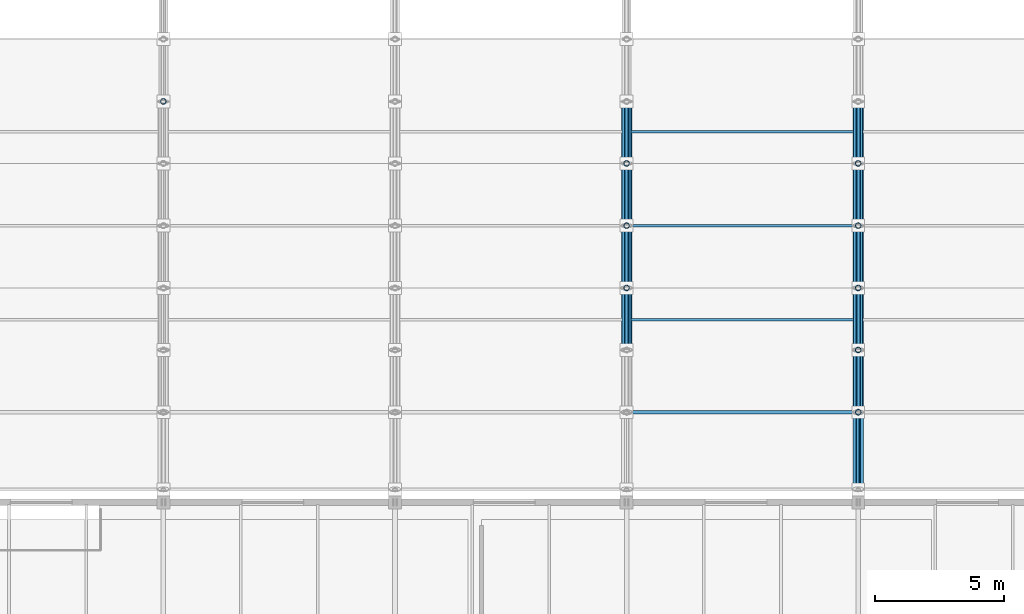
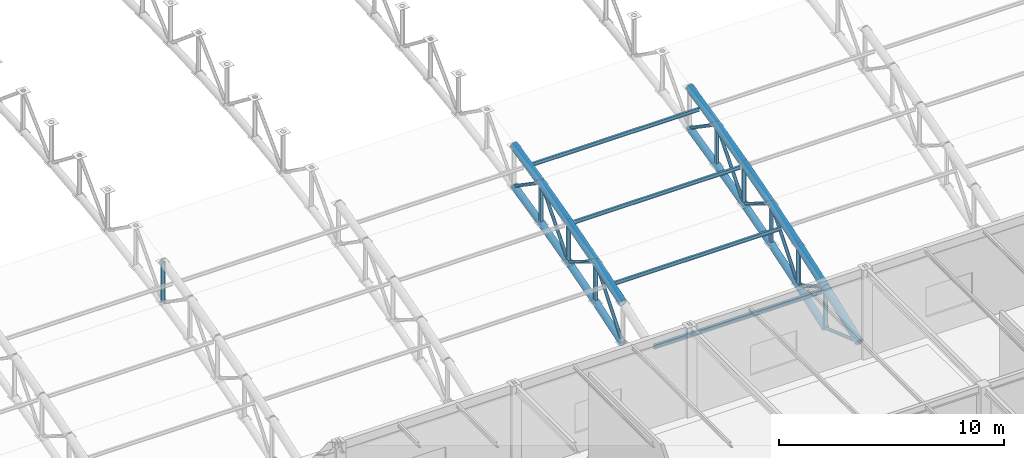
# One storey, part 71 of 195: 42 members.
"""IFC4 building model written with IfcOpenShell, lengths in metres."""

from ifc_helpers import new_model, si_unit, direction, frame, origin, origin_2d, place, context, subcontext, project, spatial, hollow_circle, i_section, extrude, material, material_profile, profile_set, type_object, element, save


model = new_model("IFC4")

# Units and contexts
model_context = context("Model", 3, precision=1e-05, world=origin(), true_north=direction((0.0, 1.0)))
body_context = subcontext(model_context, "Body", "Model", "MODEL_VIEW")
ifc_project = project(units=[si_unit("LENGTHUNIT", "METRE"), si_unit("AREAUNIT", "SQUARE_METRE"), si_unit("VOLUMEUNIT", "CUBIC_METRE"), si_unit("PLANEANGLEUNIT", "RADIAN"), si_unit("MASSUNIT", "GRAM", prefix="KILO")], contexts=[model_context])

# Site, building, storey
site_placement = place(None, origin())
site = spatial("IfcSite", under=ifc_project, at=site_placement, CompositionType="ELEMENT")
building_placement = place(site_placement, origin())
building = spatial("IfcBuilding", under=site, at=building_placement, Name="Marlcrest Central Station", CompositionType="ELEMENT")
storey_placement = place(building_placement, frame((0.0, 0.0, 9.800048828125)))
storey = spatial("IfcBuildingStorey", under=building, at=storey_placement, Name="L02", CompositionType="ELEMENT", Elevation=9.800048828125)

# Members
ifc_material = material(Name="Steel S355", Category="steel")
ifc_material_profile_1 = material_profile(ifc_material, hollow_circle(Radius=0.203125, WallThickness=0.02001953125, at=origin_2d()), Name="CHS 406.4x20")
ifc_profile_set_1 = profile_set([ifc_material_profile_1], Name="Steel S355")
member_type_1 = type_object("IfcMemberType", Name="AC-01", PredefinedType="CHORD", material=ifc_profile_set_1)
member_1_placement = place(storey_placement, frame((180.0, 38.919921875, 2.449462890625), z_axis=(0.0, 0.952116828449, 0.305734435391), x_axis=(-1.0, 0.0, 0.0)))
element("IfcMember", 1, at=member_1_placement, inside=storey, type_object=member_type_1, Name="mem-AC-01-L02-01560", PredefinedType="CHORD", context=body_context, shape_type="SweptSolid", body=[
    extrude(hollow_circle(Radius=0.203125, WallThickness=0.02001953125, at=origin_2d()), origin(), (0.0, 0.0, 1.0), 2.53125),
])
member_2_placement = place(storey_placement, frame((180.0, 41.330078125, 3.223388671875), z_axis=(0.0, 0.960130083362, 0.27955361386), x_axis=(-1.0, 0.0, 0.0)))
element("IfcMember", 2, at=member_2_placement, inside=storey, type_object=member_type_1, Name="mem-AC-01-L02-01564", PredefinedType="CHORD", context=body_context, shape_type="SweptSolid", body=[
    extrude(hollow_circle(Radius=0.203125, WallThickness=0.02001953125, at=origin_2d()), origin(), (0.0, 0.0, 1.0), 2.5205078125),
])
member_3_placement = place(storey_placement, frame((180.0, 43.75, 3.927978515625), z_axis=(0.0, 0.967539481681, 0.252719906989), x_axis=(-1.0, 0.0, 0.0)))
element("IfcMember", 3, at=member_3_placement, inside=storey, type_object=member_type_1, Name="mem-AC-01-L02-01568", PredefinedType="CHORD", context=body_context, shape_type="SweptSolid", body=[
    extrude(hollow_circle(Radius=0.203125, WallThickness=0.02001953125, at=origin_2d()), origin(), (0.0, 0.0, 1.0), 2.501220703125),
])
member_4_placement = place(storey_placement, frame((180.0, 46.169921875, 4.56005859375), z_axis=(0.0, 0.974329612642, 0.225126200004), x_axis=(-1.0, 0.0, 0.0)))
element("IfcMember", 4, at=member_4_placement, inside=storey, type_object=member_type_1, Name="mem-AC-01-L02-01572", PredefinedType="CHORD", context=body_context, shape_type="SweptSolid", body=[
    extrude(hollow_circle(Radius=0.203125, WallThickness=0.02001953125, at=origin_2d()), origin(), (0.0, 0.0, 1.0), 2.4736328125),
])
member_5_placement = place(storey_placement, frame((189.0, 33.5, 0.44580078125), z_axis=(0.0, 0.933324071143, 0.359035065453), x_axis=(-1.0, 0.0, 0.0)))
element("IfcMember", 5, at=member_5_placement, inside=storey, type_object=member_type_1, Name="mem-AC-01-L02-01670", PredefinedType="CHORD", context=body_context, shape_type="SweptSolid", body=[
    extrude(hollow_circle(Radius=0.203125, WallThickness=0.02001953125, at=origin_2d()), origin(), (0.0, 0.0, 1.0), 3.21435546875),
])
member_6_placement = place(storey_placement, frame((189.0, 36.5, 1.599853515625), z_axis=(0.0, 0.94353735649, 0.331266142109), x_axis=(-1.0, 0.0, 0.0)))
element("IfcMember", 6, at=member_6_placement, inside=storey, type_object=member_type_1, Name="mem-AC-01-L02-01672", PredefinedType="CHORD", context=body_context, shape_type="SweptSolid", body=[
    extrude(hollow_circle(Radius=0.203125, WallThickness=0.02001953125, at=origin_2d()), origin(), (0.0, 0.0, 1.0), 2.564697265625),
])
member_7_placement = place(storey_placement, frame((189.0, 38.919921875, 2.449462890625), z_axis=(0.0, 0.952116828449, 0.305734435391), x_axis=(-1.0, 0.0, 0.0)))
element("IfcMember", 7, at=member_7_placement, inside=storey, type_object=member_type_1, Name="mem-AC-01-L02-01676", PredefinedType="CHORD", context=body_context, shape_type="SweptSolid", body=[
    extrude(hollow_circle(Radius=0.203125, WallThickness=0.02001953125, at=origin_2d()), origin(), (0.0, 0.0, 1.0), 2.53125),
])
member_8_placement = place(storey_placement, frame((189.0, 41.330078125, 3.223388671875), z_axis=(0.0, 0.960130083362, 0.27955361386), x_axis=(-1.0, 0.0, 0.0)))
element("IfcMember", 8, at=member_8_placement, inside=storey, type_object=member_type_1, Name="mem-AC-01-L02-01680", PredefinedType="CHORD", context=body_context, shape_type="SweptSolid", body=[
    extrude(hollow_circle(Radius=0.203125, WallThickness=0.02001953125, at=origin_2d()), origin(), (0.0, 0.0, 1.0), 2.5205078125),
])
member_9_placement = place(storey_placement, frame((189.0, 43.75, 3.927978515625), z_axis=(0.0, 0.967539481681, 0.252719906989), x_axis=(-1.0, 0.0, 0.0)))
element("IfcMember", 9, at=member_9_placement, inside=storey, type_object=member_type_1, Name="mem-AC-01-L02-01684", PredefinedType="CHORD", context=body_context, shape_type="SweptSolid", body=[
    extrude(hollow_circle(Radius=0.203125, WallThickness=0.02001953125, at=origin_2d()), origin(), (0.0, 0.0, 1.0), 2.501220703125),
])
member_10_placement = place(storey_placement, frame((189.0, 46.169921875, 4.56005859375), z_axis=(0.0, 0.974329612642, 0.225126200004), x_axis=(-1.0, 0.0, 0.0)))
element("IfcMember", 10, at=member_10_placement, inside=storey, type_object=member_type_1, Name="mem-AC-01-L02-01688", PredefinedType="CHORD", context=body_context, shape_type="SweptSolid", body=[
    extrude(hollow_circle(Radius=0.203125, WallThickness=0.02001953125, at=origin_2d()), origin(), (0.0, 0.0, 1.0), 2.4736328125),
])
ifc_material_profile_2 = material_profile(ifc_material, hollow_circle(Radius=0.177734375, WallThickness=0.01611328125, at=origin_2d()), Name="CHS 355.6x16")
ifc_profile_set_2 = profile_set([ifc_material_profile_2], Name="Steel S355")
member_type_2 = type_object("IfcMemberType", Name="AC-02", PredefinedType="CHORD", material=ifc_profile_set_2)
member_11_placement = place(storey_placement, frame((180.0, 38.919921875, 0.24951171875), z_axis=(0.0, 0.952116828449, 0.305734435391), x_axis=(-1.0, 0.0, 0.0)))
element("IfcMember", 11, at=member_11_placement, inside=storey, type_object=member_type_2, Name="mem-AC-02-L02-01561", PredefinedType="CHORD", context=body_context, shape_type="SweptSolid", body=[
    extrude(hollow_circle(Radius=0.177734375, WallThickness=0.01611328125, at=origin_2d()), origin(), (0.0, 0.0, 1.0), 2.53125),
])
member_12_placement = place(storey_placement, frame((180.0, 41.330078125, 1.0234375), z_axis=(0.0, 0.960130083362, 0.27955361386), x_axis=(-1.0, 0.0, 0.0)))
element("IfcMember", 12, at=member_12_placement, inside=storey, type_object=member_type_2, Name="mem-AC-02-L02-01565", PredefinedType="CHORD", context=body_context, shape_type="SweptSolid", body=[
    extrude(hollow_circle(Radius=0.177734375, WallThickness=0.01611328125, at=origin_2d()), origin(), (0.0, 0.0, 1.0), 2.5205078125),
])
member_13_placement = place(storey_placement, frame((180.0, 43.75, 1.72802734375), z_axis=(0.0, 0.967563345928, 0.252628524946), x_axis=(-1.0, 0.0, 0.0)))
element("IfcMember", 13, at=member_13_placement, inside=storey, type_object=member_type_2, Name="mem-AC-02-L02-01569", PredefinedType="CHORD", context=body_context, shape_type="SweptSolid", body=[
    extrude(hollow_circle(Radius=0.177734375, WallThickness=0.01611328125, at=origin_2d()), origin(), (0.0, 0.0, 1.0), 2.5009765625),
])
member_14_placement = place(storey_placement, frame((180.0, 46.169921875, 2.35986328125), z_axis=(0.0, 0.974307959875, 0.225219891049), x_axis=(-1.0, 0.0, 0.0)))
element("IfcMember", 14, at=member_14_placement, inside=storey, type_object=member_type_2, Name="mem-AC-02-L02-01573", PredefinedType="CHORD", context=body_context, shape_type="SweptSolid", body=[
    extrude(hollow_circle(Radius=0.177734375, WallThickness=0.01611328125, at=origin_2d()), origin(), (0.0, 0.0, 1.0), 2.4736328125),
])
member_15_placement = place(storey_placement, frame((189.0, 36.5, -0.60009765625), z_axis=(0.0, 0.94353735649, 0.331266142109), x_axis=(-1.0, 0.0, 0.0)))
element("IfcMember", 15, at=member_15_placement, inside=storey, type_object=member_type_2, Name="mem-AC-02-L02-01673", PredefinedType="CHORD", context=body_context, shape_type="SweptSolid", body=[
    extrude(hollow_circle(Radius=0.177734375, WallThickness=0.01611328125, at=origin_2d()), origin(), (0.0, 0.0, 1.0), 2.564697265625),
])
member_16_placement = place(storey_placement, frame((189.0, 38.919921875, 0.24951171875), z_axis=(0.0, 0.952116828449, 0.305734435391), x_axis=(-1.0, 0.0, 0.0)))
element("IfcMember", 16, at=member_16_placement, inside=storey, type_object=member_type_2, Name="mem-AC-02-L02-01677", PredefinedType="CHORD", context=body_context, shape_type="SweptSolid", body=[
    extrude(hollow_circle(Radius=0.177734375, WallThickness=0.01611328125, at=origin_2d()), origin(), (0.0, 0.0, 1.0), 2.53125),
])
member_17_placement = place(storey_placement, frame((189.0, 41.330078125, 1.0234375), z_axis=(0.0, 0.960130083362, 0.27955361386), x_axis=(-1.0, 0.0, 0.0)))
element("IfcMember", 17, at=member_17_placement, inside=storey, type_object=member_type_2, Name="mem-AC-02-L02-01681", PredefinedType="CHORD", context=body_context, shape_type="SweptSolid", body=[
    extrude(hollow_circle(Radius=0.177734375, WallThickness=0.01611328125, at=origin_2d()), origin(), (0.0, 0.0, 1.0), 2.5205078125),
])
member_18_placement = place(storey_placement, frame((189.0, 43.75, 1.72802734375), z_axis=(0.0, 0.967563345928, 0.252628524946), x_axis=(-1.0, 0.0, 0.0)))
element("IfcMember", 18, at=member_18_placement, inside=storey, type_object=member_type_2, Name="mem-AC-02-L02-01685", PredefinedType="CHORD", context=body_context, shape_type="SweptSolid", body=[
    extrude(hollow_circle(Radius=0.177734375, WallThickness=0.01611328125, at=origin_2d()), origin(), (0.0, 0.0, 1.0), 2.5009765625),
])
member_19_placement = place(storey_placement, frame((189.0, 46.169921875, 2.35986328125), z_axis=(0.0, 0.974307959875, 0.225219891049), x_axis=(-1.0, 0.0, 0.0)))
element("IfcMember", 19, at=member_19_placement, inside=storey, type_object=member_type_2, Name="mem-AC-02-L02-01689", PredefinedType="CHORD", context=body_context, shape_type="SweptSolid", body=[
    extrude(hollow_circle(Radius=0.177734375, WallThickness=0.01611328125, at=origin_2d()), origin(), (0.0, 0.0, 1.0), 2.4736328125),
])
ifc_material_profile_3 = material_profile(ifc_material, hollow_circle(Radius=0.084228515625, WallThickness=0.010009765625, at=origin_2d()), Name="CHS 168.3x10")
ifc_profile_set_3 = profile_set([ifc_material_profile_3], Name="Steel S355")
member_type_3 = type_object("IfcMemberType", Name="AD-01", PredefinedType="BRACE", material=ifc_profile_set_3)
member_20_placement = place(storey_placement, frame((180.0, 38.919921875, 0.24951171875), z_axis=(0.0, 0.62962929743, 0.776895712318), x_axis=(-1.0, 0.0, 0.0)))
element("IfcMember", 20, at=member_20_placement, inside=storey, type_object=member_type_3, Name="mem-AD-01-L02-01563", PredefinedType="BRACE", context=body_context, shape_type="SweptSolid", body=[
    extrude(hollow_circle(Radius=0.084228515625, WallThickness=0.010009765625, at=origin_2d()), origin(), (0.0, 0.0, 1.0), 3.827880859375),
])
member_21_placement = place(storey_placement, frame((180.0, 41.330078125, 3.223388671875), z_axis=(0.0, 0.850687380038, -0.525671933286), x_axis=(-1.0, 0.0, 0.0)))
element("IfcMember", 21, at=member_21_placement, inside=storey, type_object=member_type_3, Name="mem-AD-01-L02-01567", PredefinedType="BRACE", context=body_context, shape_type="SweptSolid", body=[
    extrude(hollow_circle(Radius=0.084228515625, WallThickness=0.010009765625, at=origin_2d()), origin(), (0.0, 0.0, 1.0), 2.8447265625),
])
member_22_placement = place(storey_placement, frame((180.0, 43.75, 1.72802734375), z_axis=(0.0, 0.649624779144, 0.760254987699), x_axis=(-1.0, 0.0, 0.0)))
element("IfcMember", 22, at=member_22_placement, inside=storey, type_object=member_type_3, Name="mem-AD-01-L02-01571", PredefinedType="BRACE", context=body_context, shape_type="SweptSolid", body=[
    extrude(hollow_circle(Radius=0.084228515625, WallThickness=0.010009765625, at=origin_2d()), origin(), (0.0, 0.0, 1.0), 3.72509765625),
])
member_23_placement = place(storey_placement, frame((180.0, 46.169921875, 4.56005859375), z_axis=(0.0, 0.82626275624, -0.563284881432), x_axis=(-1.0, 0.0, 0.0)))
element("IfcMember", 23, at=member_23_placement, inside=storey, type_object=member_type_3, Name="mem-AD-01-L02-01575", PredefinedType="BRACE", context=body_context, shape_type="SweptSolid", body=[
    extrude(hollow_circle(Radius=0.084228515625, WallThickness=0.010009765625, at=origin_2d()), origin(), (0.0, 0.0, 1.0), 2.9169921875),
])
member_24_placement = place(storey_placement, frame((189.0, 36.5, -0.60009765625), z_axis=(0.0, -0.944260188635, 0.329200085296), x_axis=(1.0, 0.0, 0.0)))
element("IfcMember", 24, at=member_24_placement, inside=storey, type_object=member_type_3, Name="mem-AD-01-L02-01671", PredefinedType="BRACE", context=body_context, shape_type="SweptSolid", body=[
    extrude(hollow_circle(Radius=0.084228515625, WallThickness=0.010009765625, at=origin_2d()), origin(), (0.0, 0.0, 1.0), 3.177001953125),
])
member_25_placement = place(storey_placement, frame((189.0, 36.5, 1.599853515625), z_axis=(0.0, 0.873245653167, -0.487280236851), x_axis=(-1.0, 0.0, 0.0)))
element("IfcMember", 25, at=member_25_placement, inside=storey, type_object=member_type_3, Name="mem-AD-01-L02-01675", PredefinedType="BRACE", context=body_context, shape_type="SweptSolid", body=[
    extrude(hollow_circle(Radius=0.084228515625, WallThickness=0.010009765625, at=origin_2d()), origin(), (0.0, 0.0, 1.0), 2.771240234375),
])
member_26_placement = place(storey_placement, frame((189.0, 38.919921875, 0.24951171875), z_axis=(0.0, 0.62962929743, 0.776895712318), x_axis=(-1.0, 0.0, 0.0)))
element("IfcMember", 26, at=member_26_placement, inside=storey, type_object=member_type_3, Name="mem-AD-01-L02-01679", PredefinedType="BRACE", context=body_context, shape_type="SweptSolid", body=[
    extrude(hollow_circle(Radius=0.084228515625, WallThickness=0.010009765625, at=origin_2d()), origin(), (0.0, 0.0, 1.0), 3.827880859375),
])
member_27_placement = place(storey_placement, frame((189.0, 41.330078125, 3.223388671875), z_axis=(0.0, 0.850687380038, -0.525671933286), x_axis=(-1.0, 0.0, 0.0)))
element("IfcMember", 27, at=member_27_placement, inside=storey, type_object=member_type_3, Name="mem-AD-01-L02-01683", PredefinedType="BRACE", context=body_context, shape_type="SweptSolid", body=[
    extrude(hollow_circle(Radius=0.084228515625, WallThickness=0.010009765625, at=origin_2d()), origin(), (0.0, 0.0, 1.0), 2.8447265625),
])
member_28_placement = place(storey_placement, frame((189.0, 43.75, 1.72802734375), z_axis=(0.0, 0.649624779144, 0.760254987699), x_axis=(-1.0, 0.0, 0.0)))
element("IfcMember", 28, at=member_28_placement, inside=storey, type_object=member_type_3, Name="mem-AD-01-L02-01687", PredefinedType="BRACE", context=body_context, shape_type="SweptSolid", body=[
    extrude(hollow_circle(Radius=0.084228515625, WallThickness=0.010009765625, at=origin_2d()), origin(), (0.0, 0.0, 1.0), 3.72509765625),
])
member_29_placement = place(storey_placement, frame((189.0, 46.169921875, 4.56005859375), z_axis=(0.0, 0.82626275624, -0.563284881432), x_axis=(-1.0, 0.0, 0.0)))
element("IfcMember", 29, at=member_29_placement, inside=storey, type_object=member_type_3, Name="mem-AD-01-L02-01691", PredefinedType="BRACE", context=body_context, shape_type="SweptSolid", body=[
    extrude(hollow_circle(Radius=0.084228515625, WallThickness=0.010009765625, at=origin_2d()), origin(), (0.0, 0.0, 1.0), 2.9169921875),
])
ifc_material_profile_4 = material_profile(ifc_material, hollow_circle(Radius=0.109619140625, WallThickness=0.012451171875, at=origin_2d()), Name="CHS 219.1x12.5")
ifc_profile_set_4 = profile_set([ifc_material_profile_4], Name="Steel S355")
member_type_4 = type_object("IfcMemberType", Name="AP-01", PredefinedType="POST", material=ifc_profile_set_4)
for number, where, z_axis, x_axis, name in (
    (30, (162.0, 48.580078125, 2.9169921875), (0.0, 0.0, 1.0), (1.0, 0.0, 0.0), "mem-AP-01-L02-01346"),
    (31, (180.0, 41.330078125, 1.0234375), (0.0, 0.0, 1.0), (1.0, 0.0, 0.0), "mem-AP-01-L02-01566"),
    (32, (180.0, 43.75, 1.72802734375), (0.0, 0.0, 1.0), (1.0, 0.0, 0.0), "mem-AP-01-L02-01570"),
):
    element("IfcMember", number, at=place(storey_placement, frame(where, z_axis=z_axis, x_axis=x_axis)), inside=storey, type_object=member_type_4, Name=name, PredefinedType="POST", context=body_context, shape_type="SweptSolid", body=[
        extrude(hollow_circle(Radius=0.109619140625, WallThickness=0.012451171875, at=origin_2d()), origin(), (0.0, 0.0, 1.0), 2.199951171875),
    ])
member_30_placement = place(storey_placement, frame((180.0, 46.169921875, 2.35986328125), z_axis=(0.0, 0.0, 1.0), x_axis=(1.0, 0.0, 0.0)))
element("IfcMember", 33, at=member_30_placement, inside=storey, type_object=member_type_4, Name="mem-AP-01-L02-01574", PredefinedType="POST", context=body_context, shape_type="SweptSolid", body=[
    extrude(hollow_circle(Radius=0.109619140625, WallThickness=0.012451171875, at=origin_2d()), origin(), (0.0, 0.0, 1.0), 2.2001953125),
])
for number, where, z_axis, x_axis, name in (
    (34, (189.0, 36.5, -0.60009765625), (0.0, 0.0, 1.0), (1.0, 0.0, 0.0), "mem-AP-01-L02-01674"),
    (35, (189.0, 38.919921875, 0.24951171875), (0.0, 0.0, 1.0), (1.0, 0.0, 0.0), "mem-AP-01-L02-01678"),
    (36, (189.0, 41.330078125, 1.0234375), (0.0, 0.0, 1.0), (1.0, 0.0, 0.0), "mem-AP-01-L02-01682"),
    (37, (189.0, 43.75, 1.72802734375), (0.0, 0.0, 1.0), (1.0, 0.0, 0.0), "mem-AP-01-L02-01686"),
):
    element("IfcMember", number, at=place(storey_placement, frame(where, z_axis=z_axis, x_axis=x_axis)), inside=storey, type_object=member_type_4, Name=name, PredefinedType="POST", context=body_context, shape_type="SweptSolid", body=[
        extrude(hollow_circle(Radius=0.109619140625, WallThickness=0.012451171875, at=origin_2d()), origin(), (0.0, 0.0, 1.0), 2.199951171875),
    ])
member_31_placement = place(storey_placement, frame((189.0, 46.169921875, 2.35986328125), z_axis=(0.0, 0.0, 1.0), x_axis=(1.0, 0.0, 0.0)))
element("IfcMember", 38, at=member_31_placement, inside=storey, type_object=member_type_4, Name="mem-AP-01-L02-01690", PredefinedType="POST", context=body_context, shape_type="SweptSolid", body=[
    extrude(hollow_circle(Radius=0.109619140625, WallThickness=0.012451171875, at=origin_2d()), origin(), (0.0, 0.0, 1.0), 2.2001953125),
])
ifc_material_profile_5 = material_profile(ifc_material, i_section(OverallWidth=0.10009765625, OverallDepth=0.199951171875, WebThickness=0.005615234375, FlangeThickness=0.008544921875, FilletRadius=0.011962890625, at=origin_2d()), Name="IPE 200")
ifc_profile_set_5 = profile_set([ifc_material_profile_5], Name="Steel S355")
member_type_5 = type_object("IfcMemberType", Name="PR-01", PredefinedType="PURLIN", material=ifc_profile_set_5)
for number, where, z_axis, x_axis, name in (
    (39, (180.179931640625, 40.10009765625, 2.697509765625), (1.0, 0.0, 0.0), (0.0, 1.0, 0.0), "mem-PR-01-L02-01657"),
    (40, (180.179931640625, 43.75, 3.7880859375), (1.0, 0.0, 0.0), (0.0, 1.0, 0.0), "mem-PR-01-L02-01658"),
    (41, (180.179931640625, 47.39990234375, 4.713134765625), (1.0, 0.0, 0.0), (0.0, 1.0, 0.0), "mem-PR-01-L02-01659"),
):
    element("IfcMember", number, at=place(storey_placement, frame(where, z_axis=z_axis, x_axis=x_axis)), inside=storey, type_object=member_type_5, Name=name, PredefinedType="PURLIN", context=body_context, shape_type="SweptSolid", body=[
        extrude(i_section(OverallWidth=0.10009765625, OverallDepth=0.199951171875, WebThickness=0.005615234375, FlangeThickness=0.008544921875, FilletRadius=0.011962890625, at=origin_2d()), origin(), (0.0, 0.0, 1.0), 8.64013671875),
    ])
ifc_material_profile_6 = material_profile(ifc_material, i_section(OverallWidth=0.1201171875, OverallDepth=0.239990234375, WebThickness=0.006103515625, FlangeThickness=0.009765625, FilletRadius=0.014892578125, at=origin_2d()), Name="IPE 240")
ifc_profile_set_6 = profile_set([ifc_material_profile_6], Name="Steel S355")
member_type_6 = type_object("IfcMemberType", Name="PR-02", PredefinedType="PURLIN", material=ifc_profile_set_6)
member_32_placement = place(storey_placement, frame((180.179931640625, 36.5, 1.4599609375), z_axis=(1.0, 0.0, 0.0), x_axis=(0.0, 1.0, 0.0)))
element("IfcMember", 42, at=member_32_placement, inside=storey, type_object=member_type_6, Name="mem-PR-02-L02-01656", PredefinedType="PURLIN", context=body_context, shape_type="SweptSolid", body=[
    extrude(i_section(OverallWidth=0.1201171875, OverallDepth=0.239990234375, WebThickness=0.006103515625, FlangeThickness=0.009765625, FilletRadius=0.014892578125, at=origin_2d()), origin(), (0.0, 0.0, 1.0), 8.64013671875),
])

save(model, "model.ifc")
